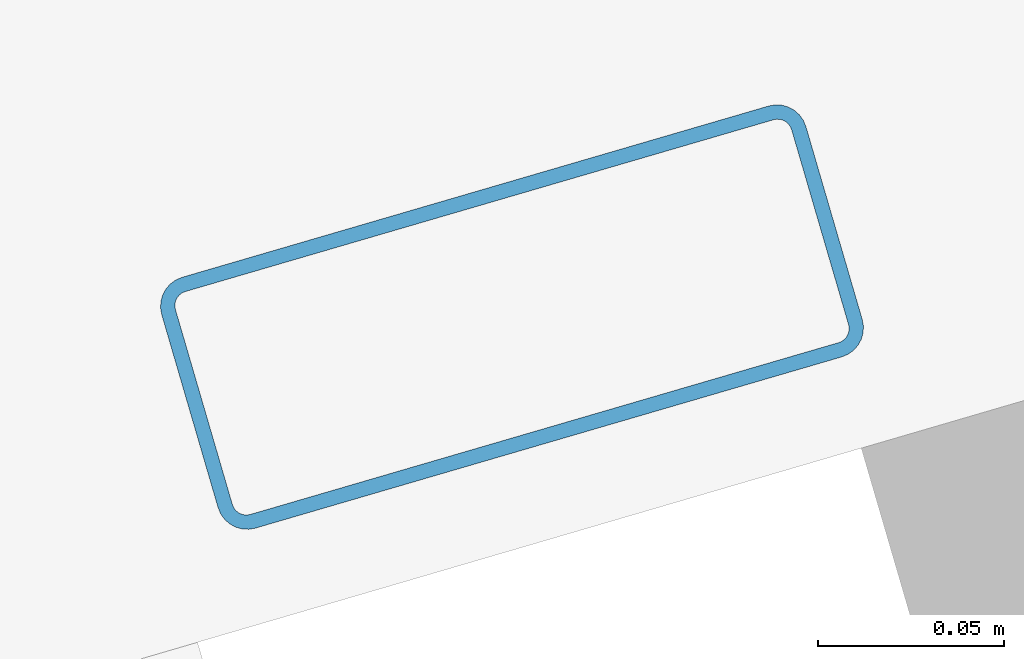
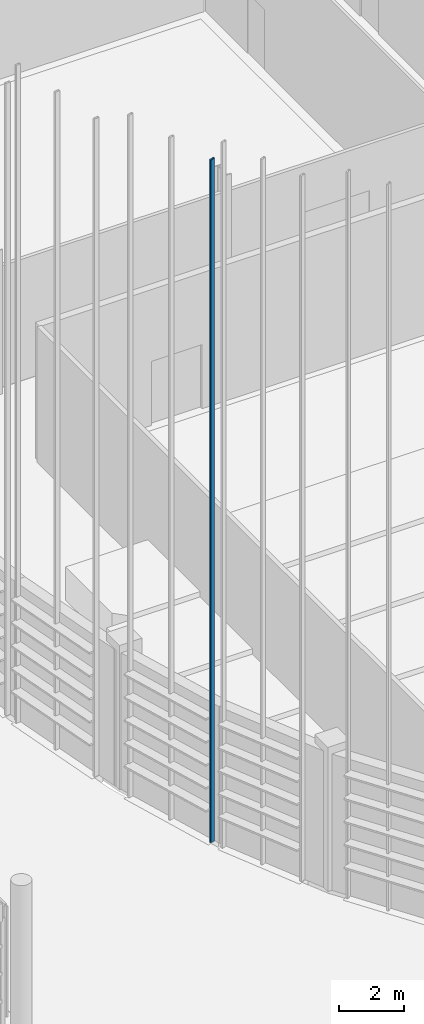
# One storey, part 72 of 372: 1 member.
"""IFC4 building model written with IfcOpenShell, lengths in metres."""

import ifcopenshell
import ifcopenshell.guid

model = None  # the IFC model being written
_history = None  # IfcOwnerHistory: only IFC2X3 demands one
_inside = {}  # id of a spatial element -> (the spatial element, [elements in it])
_under = {}  # id of a project, library or spatial element -> (it, [spatial elements below it])
_declared = {}  # id of a project -> (the project, [libraries it declares])
_typed = {}  # id of a type object -> (the type object, [elements of that type])
_made_of = {}  # id of a material, layer set ... -> (it, [elements and type objects made of it])


def new_model(schema):
    """Start an empty IFC model of exactly this schema.

    Asked for "IFC4X3", IfcOpenShell would pick the latest addendum, in which some entities
    have other attributes; the version numbers below select the first issue.
    IFC2X3 requires an IfcOwnerHistory on every rooted entity: one is made here for all.
    """
    global model, _history
    if schema == "IFC4X3":
        model = ifcopenshell.file(schema_version=(4, 3, 0, 0))
    else:
        model = ifcopenshell.file(schema=schema)
    _inside.clear()
    _under.clear()
    _declared.clear()
    _typed.clear()
    _made_of.clear()
    _history = None
    if model.schema == "IFC2X3":
        org = make("IfcOrganization", Name="unknown")
        user = make(
            "IfcPersonAndOrganization",
            ThePerson=make("IfcPerson", FamilyName="unknown"),
            TheOrganization=org,
        )
        app = make(
            "IfcApplication",
            ApplicationDeveloper=org,
            Version="unknown",
            ApplicationFullName="unknown",
            ApplicationIdentifier="unknown",
        )
        _history = make(
            "IfcOwnerHistory",
            OwningUser=user,
            OwningApplication=app,
            ChangeAction="ADDED",
            CreationDate=0,
        )
    return model


def make(cls, **values):
    """One entity of the class cls with the attributes given. An attribute that is None is left unset."""
    return model.create_entity(
        cls, **{name: value for name, value in values.items() if value is not None}
    )


def rooted(cls, **values):
    """An entity with a GlobalId (a new one), such as an element, a storey or a relation."""
    return make(cls, GlobalId=ifcopenshell.guid.new(), OwnerHistory=_history, **values)


def si_unit(unit_type, name, prefix=None):
    """IfcSIUnit, for example si_unit("LENGTHUNIT", "METRE", prefix="MILLI")."""
    return make("IfcSIUnit", UnitType=unit_type, Prefix=prefix, Name=name)


def assignment(units):
    """IfcUnitAssignment: the units of a project."""
    return None if units is None else make("IfcUnitAssignment", Units=units)


def point(xyz):
    """IfcCartesianPoint."""
    return None if xyz is None else make("IfcCartesianPoint", Coordinates=xyz)


def direction(xyz):
    """IfcDirection."""
    return None if xyz is None else make("IfcDirection", DirectionRatios=xyz)


def frame(location, z_axis=None, x_axis=None):
    """IfcAxis2Placement3D, a coordinate frame: its origin and axes. An axis left out is left unset."""
    return make(
        "IfcAxis2Placement3D",
        Location=point(location),
        Axis=direction(z_axis),
        RefDirection=direction(x_axis),
    )


def frame_2d(location, x_axis=None):
    """IfcAxis2Placement2D, a coordinate frame in the plane: its origin and x axis."""
    return make(
        "IfcAxis2Placement2D", Location=point(location), RefDirection=direction(x_axis)
    )


def origin():
    """The frame at (0, 0, 0) with its axes left unset."""
    return frame((0.0, 0.0, 0.0))


def origin_2d():
    """The frame at (0, 0) in the plane with its x axis left unset."""
    return frame_2d((0.0, 0.0))


def place(relative_to, where):
    """IfcLocalPlacement: puts the frame where relative to a parent placement (None: the world)."""
    return make(
        "IfcLocalPlacement", PlacementRelTo=relative_to, RelativePlacement=where
    )


def context(
    kind, dimensions, precision=None, world=None, true_north=None, identifier=None
):
    """IfcGeometricRepresentationContext, for example the 3D "Model" context."""
    return make(
        "IfcGeometricRepresentationContext",
        ContextIdentifier=identifier,
        ContextType=kind,
        CoordinateSpaceDimension=dimensions,
        Precision=precision,
        WorldCoordinateSystem=world,
        TrueNorth=true_north,
    )


def subcontext(parent, identifier, kind, view, scale=None):
    """IfcGeometricRepresentationSubContext, for example "Body" below "Model"."""
    return make(
        "IfcGeometricRepresentationSubContext",
        ContextIdentifier=identifier,
        ContextType=kind,
        ParentContext=parent,
        TargetScale=scale,
        TargetView=view,
    )


def project(units=None, contexts=None):
    """IfcProject with its units and contexts."""
    return rooted(
        "IfcProject",
        Name="project",
        RepresentationContexts=contexts,
        UnitsInContext=assignment(units),
    )


def spatial(cls, under=None, at=None, **own):
    """A site, building, storey or space (cls), placed at a placement, below another one or the project."""
    s = rooted(cls, ObjectPlacement=at, **own)
    if under is not None:
        _under.setdefault(under.id(), (under, []))[1].append(s)
    return s


def profile(cls, at=None, kind="AREA", **sizes):
    """A parametric profile (cls). Its sizes go by their IFC names, for example OverallWidth=200.0."""
    return make(cls, ProfileType=kind, Position=at, **sizes)


def hollow_rectangle(**sizes):
    """IfcRectangleHollowProfileDef."""
    return profile("IfcRectangleHollowProfileDef", **sizes)


def extrude(swept, where, along, depth):
    """IfcExtrudedAreaSolid: the profile swept, set in the frame where, extruded along a direction by depth."""
    return make(
        "IfcExtrudedAreaSolid",
        SweptArea=swept,
        Position=where,
        ExtrudedDirection=direction(along),
        Depth=depth,
    )


def shape(context_of_items, identifier, shape_type, items):
    """IfcShapeRepresentation: the items that make up one representation, for example the "Body"."""
    return make(
        "IfcShapeRepresentation",
        ContextOfItems=context_of_items,
        RepresentationIdentifier=identifier,
        RepresentationType=shape_type,
        Items=items,
    )


def material(Name=None, Category=None):
    """IfcMaterial."""
    return make("IfcMaterial", Name=Name, Category=Category)


def material_profile(
    of_material, cross_section, Name=None, Category=None, Priority=None
):
    """IfcMaterialProfile: a cross section and its material."""
    return make(
        "IfcMaterialProfile",
        Name=Name,
        Material=of_material,
        Profile=cross_section,
        Priority=Priority,
        Category=Category,
    )


def profile_set(profiles, Name=None, composite=None):
    """IfcMaterialProfileSet."""
    return make(
        "IfcMaterialProfileSet",
        Name=Name,
        MaterialProfiles=profiles,
        CompositeProfile=composite,
    )


def made_of(thing, what):
    """Note that an element or type object is made of a material, layer set ...; save() writes the relation."""
    if what is not None:
        _made_of.setdefault(what.id(), (what, []))[1].append(thing)
    return thing


def type_object(cls, material=None, **own):
    """A type object (cls), such as IfcWallType, which elements share."""
    return made_of(rooted(cls, **own), material)


def element(
    cls,
    number,
    at=None,
    inside=None,
    cuts=None,
    type_object=None,
    material=None,
    context=None,
    identifier="Body",
    shape_type=None,
    held_by="IfcProductDefinitionShape",
    body=None,
    shapes=None,
    **own,
):
    """One element of the class cls, such as IfcWall. Its Tag is "e" and its number.

    at: its placement. inside: the storey or other place that contains it. cuts: it is an
    opening in that element (IfcRelVoidsElement). A single representation is given by context,
    identifier, shape_type and body (its items); several are given by shapes. held_by: the class
    of the entity that holds the representations. save() writes the other relations.
    """
    e = rooted(cls, Tag="e%d" % number, ObjectPlacement=at, **own)
    if body is not None:
        shapes = [shape(context, identifier, shape_type, body)]
    if shapes is not None:
        e.Representation = make(held_by, Representations=shapes)
    if inside is not None:
        _inside.setdefault(inside.id(), (inside, []))[1].append(e)
    if cuts is not None:
        rooted(
            "IfcRelVoidsElement", RelatingBuildingElement=cuts, RelatedOpeningElement=e
        )
    if type_object is not None:
        _typed.setdefault(type_object.id(), (type_object, []))[1].append(e)
    return made_of(e, material)


def aggregate(whole, parts):
    """IfcRelAggregates: a whole, such as a stair, and the parts it consists of."""
    return rooted("IfcRelAggregates", RelatingObject=whole, RelatedObjects=parts)


def save(model, path):
    """Write the relations noted so far, then the file.

    IfcRelAggregates (storeys below a building ...), IfcRelContainedInSpatialStructure (elements
    in a storey), IfcRelDefinesByType, IfcRelAssociatesMaterial and IfcRelDeclares: one each for
    every whole, place, type object, material and project.
    """
    for whole, parts in _under.values():
        aggregate(whole, parts)
    for where, things in _inside.values():
        rooted(
            "IfcRelContainedInSpatialStructure",
            RelatedElements=things,
            RelatingStructure=where,
        )
    for kind, things in _typed.values():
        rooted("IfcRelDefinesByType", RelatedObjects=things, RelatingType=kind)
    for what, things in _made_of.values():
        rooted("IfcRelAssociatesMaterial", RelatedObjects=things, RelatingMaterial=what)
    for by, libraries in _declared.values():
        rooted("IfcRelDeclares", RelatingContext=by, RelatedDefinitions=libraries)
    model.write(path)


model = new_model("IFC4")

# Units and contexts
model_context = context("Model", 3, precision=1e-05, world=origin(), true_north=direction((0.0, 1.0)))
body_context = subcontext(model_context, "Body", "Model", "MODEL_VIEW")
ifc_project = project(units=[si_unit("LENGTHUNIT", "METRE"), si_unit("AREAUNIT", "SQUARE_METRE"), si_unit("VOLUMEUNIT", "CUBIC_METRE"), si_unit("PLANEANGLEUNIT", "RADIAN"), si_unit("MASSUNIT", "GRAM", prefix="KILO")], contexts=[model_context])

# Site, building, storey
site_placement = place(None, origin())
site = spatial("IfcSite", under=ifc_project, at=site_placement, CompositionType="ELEMENT")
building_placement = place(site_placement, origin())
building = spatial("IfcBuilding", under=site, at=building_placement, Name="Kaelora Sail Theatre", CompositionType="ELEMENT")
storey_placement = place(building_placement, origin())
storey = spatial("IfcBuildingStorey", under=building, at=storey_placement, Name="L00", CompositionType="ELEMENT", Elevation=0.0)

# Member
ifc_material = material(Name="Anodised aluminium 6063-T6", Category="aluminium")
ifc_material_profile = material_profile(ifc_material, hollow_rectangle(XDim=0.070068359375, YDim=0.179931640625, WallThickness=0.00390625, InnerFilletRadius=0.00390625, OuterFilletRadius=0.008056640625, at=origin_2d()), Name="ALU-MULL 70x180x4")
ifc_profile_set = profile_set([ifc_material_profile], Name="Anodised aluminium 6063-T6")
member_type = type_object("IfcMemberType", Name="ARC-MEM-PST-160", PredefinedType="POST", material=ifc_profile_set)
member_placement = place(storey_placement, frame((27.644287109375, 36.793212890625, 0.0), z_axis=(0.0, 0.0, 1.0), x_axis=(-0.280331656578, 0.959903204662, 0.0)))
element("IfcMember", 1, at=member_placement, inside=storey, type_object=member_type, Name="Main Theatre Sail Drum solar louvre vertical support post C18-1", PredefinedType="POST", context=body_context, shape_type="SweptSolid", body=[
    extrude(hollow_rectangle(XDim=0.070068359375, YDim=0.179931640625, WallThickness=0.00390625, InnerFilletRadius=0.00390625, OuterFilletRadius=0.008056640625, at=origin_2d()), origin(), (0.0, 0.0, 1.0), 25.54248046875),
])

save(model, "model.ifc")
